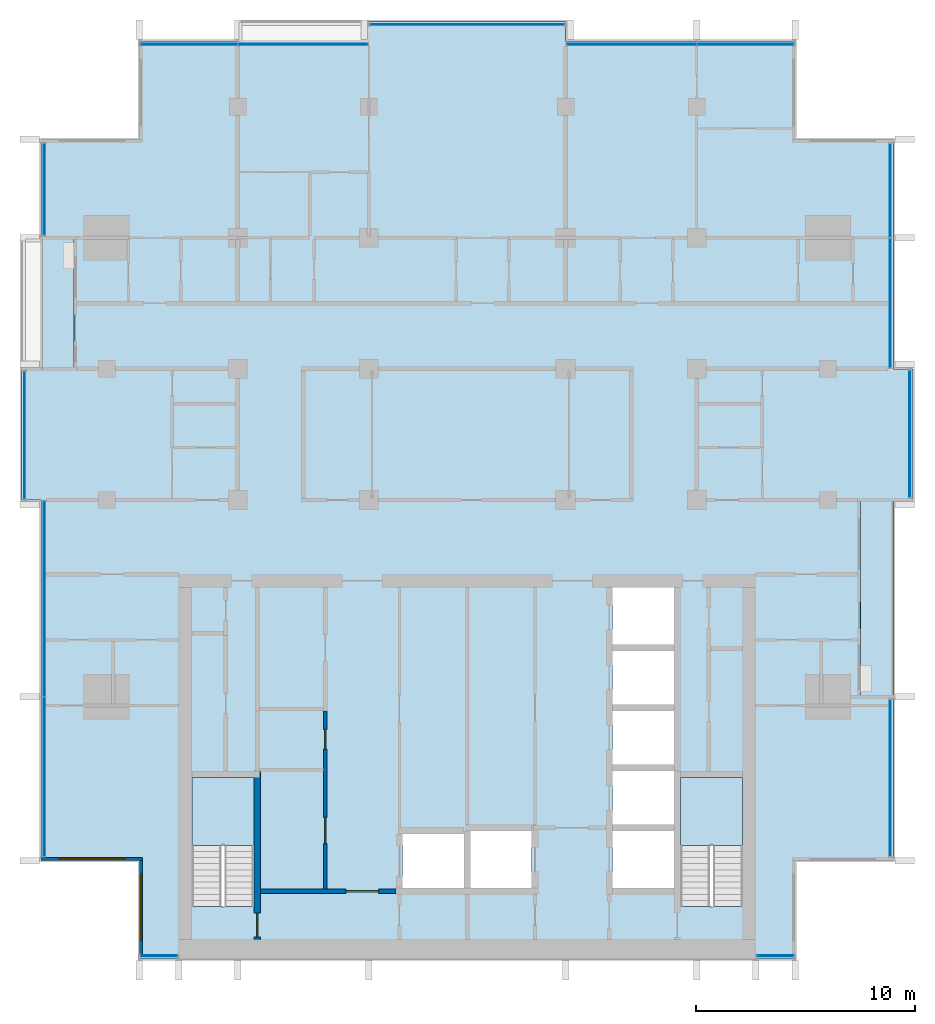
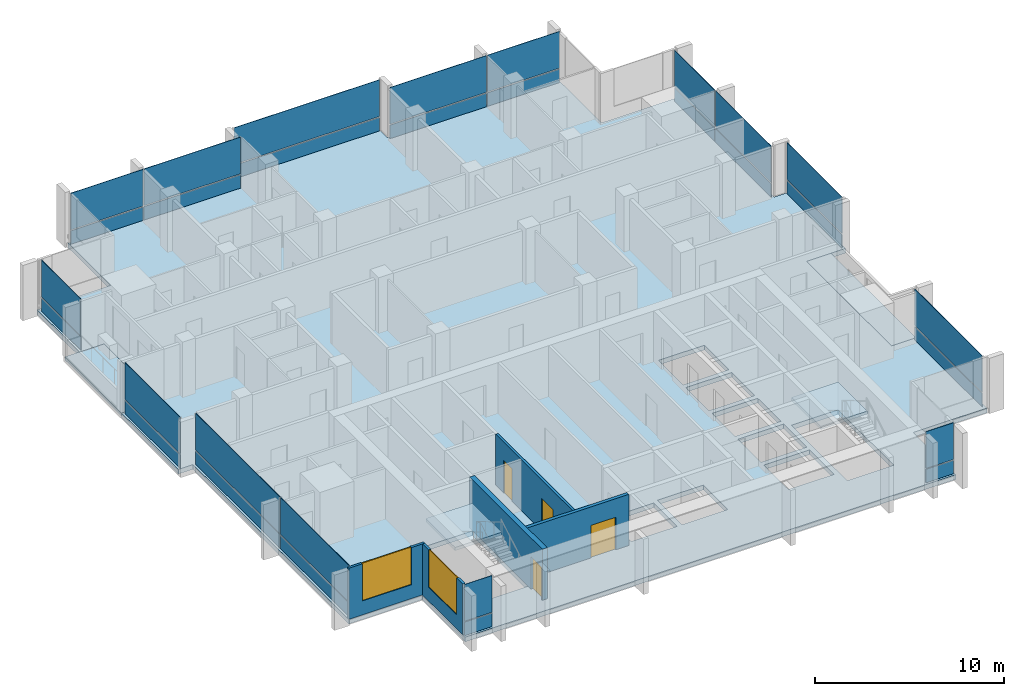
# One storey, part 6 of 16: 30 plates, 5 slabs, 5 walls, 4 doors, 2 windows, 6 openings, 13 elements without a shape of their own.
"""IFC4 building model written with IfcOpenShell, lengths in metres."""

from ifc_helpers import new_model, si_unit, direction, frame, frame_2d, origin, origin_2d, place, context, subcontext, project, spatial, polyline, rectangle, outline, extrude, material, layer, layer_set, type_object, element, fill, aggregate, save


model = new_model("IFC4")

# Units and contexts
model_context = context("Model", 3, precision=1e-05, world=origin(), true_north=direction((0.0, 1.0)))
body_context = subcontext(model_context, "Body", "Model", "MODEL_VIEW")
ifc_project = project(units=[si_unit("LENGTHUNIT", "METRE"), si_unit("AREAUNIT", "SQUARE_METRE"), si_unit("VOLUMEUNIT", "CUBIC_METRE"), si_unit("PLANEANGLEUNIT", "RADIAN"), si_unit("MASSUNIT", "GRAM", prefix="KILO")], contexts=[model_context])

# Site, building, storey
site_placement = place(None, origin())
site = spatial("IfcSite", under=ifc_project, at=site_placement, CompositionType="ELEMENT")
building_placement = place(site_placement, origin())
building = spatial("IfcBuilding", under=site, at=building_placement, Name="Finial Court Residences", CompositionType="ELEMENT")
storey_placement = place(building_placement, frame((0.0, 0.0, 223.10009765625)))
storey = spatial("IfcBuildingStorey", under=building, at=storey_placement, Name="L56", CompositionType="ELEMENT", Elevation=223.10009765625)

# Slabs
ifc_material_1 = material(Name="Concrete C35/45", Category="concrete")
ifc_layer_1 = layer(ifc_material_1, 0.199951171875)
ifc_layer_set_1 = layer_set([ifc_layer_1], Name="Balcony slab, Concrete C35/45 200")
slab_type_1 = type_object("IfcSlabType", Name="Balcony slab, Concrete C35/45 200", PredefinedType="FLOOR", material=ifc_layer_set_1)
slab_1_placement = place(storey_placement, frame((0.0, 0.0, -0.2001953125)))
element("IfcSlab", 1, at=slab_1_placement, inside=storey, type_object=slab_type_1, Name="Balcony L56-E2", PredefinedType="FLOOR", context=body_context, shape_type="SweptSolid", body=[
    extrude(outline(polyline([(19.5, -13.5), (19.5, -4.5), (18.0, -4.5), (18.0, -13.5), (19.5, -13.5)])), origin(), (0.0, 0.0, 1.0), 0.2001953125),
])
slab_2_placement = place(storey_placement, frame((0.0, 0.0, -0.2001953125)))
element("IfcSlab", 2, at=slab_2_placement, inside=storey, type_object=slab_type_1, Name="Balcony L56-W4", PredefinedType="FLOOR", context=body_context, shape_type="SweptSolid", body=[
    extrude(outline(polyline([(-20.39990234375, 1.5), (-20.39990234375, 7.5), (-19.5, 7.5), (-18.0, 7.5), (-18.0, 1.5), (-19.5, 1.5), (-20.39990234375, 1.5)])), origin(), (0.0, 0.0, 1.0), 0.2001953125),
])

# Curtain wall, plates
ifc_material_2 = material(Name="Bronze anodised aluminium", Category="aluminium")
curtain_wall_type = type_object("IfcCurtainWallType", Name="Unitised curtain wall, upper zones", PredefinedType="NOTDEFINED", material=ifc_material_2)
curtain_wall_1_placement = place(storey_placement, origin())
curtain_wall_1 = element("IfcCurtainWall", 3, at=curtain_wall_1_placement, inside=storey, type_object=curtain_wall_type, Name="E-L56-CW-N1", PredefinedType="NOTDEFINED")
ifc_layer_2 = layer(ifc_material_2, 0.035888671875)
ifc_layer_set_2 = layer_set([ifc_layer_2], Name="CW2 spandrel panel 36")
plate_type_1 = type_object("IfcPlateType", Name="CW2 spandrel panel 36", PredefinedType="CURTAIN_PANEL", material=ifc_layer_set_2)
plate_1_placement = place(storey_placement, frame((-12.735107421875, 16.35009765625, -0.000244140625), z_axis=(0.0, 0.0, 1.0), x_axis=(1.0, 0.0, 0.0)))
plate_1 = element("IfcPlate", 4, at=plate_1_placement, type_object=plate_type_1, Name="CW2 spandrel 1.1", PredefinedType="CURTAIN_PANEL", context=body_context, shape_type="SweptSolid", body=[
    extrude(rectangle(XDim=4.409912109375, YDim=0.035888671875, at=origin_2d()), origin(), (0.0, 0.0, 1.0), 0.8701171875),
])
plate_2_placement = place(storey_placement, frame((-7.514892578125, 16.35009765625, -0.000244140625), z_axis=(0.0, 0.0, 1.0), x_axis=(1.0, 0.0, 0.0)))
plate_2 = element("IfcPlate", 5, at=plate_2_placement, type_object=plate_type_1, Name="CW2 spandrel 2.1", PredefinedType="CURTAIN_PANEL", context=body_context, shape_type="SweptSolid", body=[
    extrude(rectangle(XDim=5.909912109375, YDim=0.035888671875, at=origin_2d()), origin(), (0.0, 0.0, 1.0), 0.8701171875),
])

# Curtain wall, plate
curtain_wall_2_placement = place(storey_placement, origin())
curtain_wall_2 = element("IfcCurtainWall", 6, at=curtain_wall_2_placement, inside=storey, type_object=curtain_wall_type, Name="E-L56-CW-N2", PredefinedType="NOTDEFINED")
plate_3_placement = place(storey_placement, frame((0.0, 17.25, -0.000244140625), z_axis=(0.0, 0.0, 1.0), x_axis=(1.0, 0.0, 0.0)))
plate_3 = element("IfcPlate", 7, at=plate_3_placement, type_object=plate_type_1, Name="CW2 spandrel 1.1", PredefinedType="CURTAIN_PANEL", context=body_context, shape_type="SweptSolid", body=[
    extrude(rectangle(XDim=8.8798828125, YDim=0.035888671875, at=origin_2d()), origin(), (0.0, 0.0, 1.0), 0.8701171875),
])

# Curtain wall, plates
curtain_wall_3_placement = place(storey_placement, origin())
curtain_wall_3 = element("IfcCurtainWall", 8, at=curtain_wall_3_placement, inside=storey, type_object=curtain_wall_type, Name="E-L56-CW-N3", PredefinedType="NOTDEFINED")
plate_4_placement = place(storey_placement, frame((7.514892578125, 16.35009765625, -0.000244140625), z_axis=(0.0, 0.0, 1.0), x_axis=(1.0, 0.0, 0.0)))
plate_4 = element("IfcPlate", 9, at=plate_4_placement, type_object=plate_type_1, Name="CW2 spandrel 1.1", PredefinedType="CURTAIN_PANEL", context=body_context, shape_type="SweptSolid", body=[
    extrude(rectangle(XDim=5.909912109375, YDim=0.035888671875, at=origin_2d()), origin(), (0.0, 0.0, 1.0), 0.8701171875),
])
plate_5_placement = place(storey_placement, frame((12.735107421875, 16.35009765625, -0.000244140625), z_axis=(0.0, 0.0, 1.0), x_axis=(1.0, 0.0, 0.0)))
plate_5 = element("IfcPlate", 10, at=plate_5_placement, type_object=plate_type_1, Name="CW2 spandrel 2.1", PredefinedType="CURTAIN_PANEL", context=body_context, shape_type="SweptSolid", body=[
    extrude(rectangle(XDim=4.409912109375, YDim=0.035888671875, at=origin_2d()), origin(), (0.0, 0.0, 1.0), 0.8701171875),
])

# Curtain wall, plate
curtain_wall_4_placement = place(storey_placement, origin())
curtain_wall_4 = element("IfcCurtainWall", 11, at=curtain_wall_4_placement, inside=storey, type_object=curtain_wall_type, Name="E-L56-CW-E4", PredefinedType="NOTDEFINED")
plate_6_placement = place(storey_placement, frame((19.35009765625, -17.21240234375, -0.000244140625), z_axis=(0.0, 0.0, 1.0), x_axis=(0.0, 1.0, 0.0)))
plate_6 = element("IfcPlate", 12, at=plate_6_placement, type_object=plate_type_1, Name="CW2 spandrel 1.1", PredefinedType="CURTAIN_PANEL", context=body_context, shape_type="SweptSolid", body=[
    extrude(rectangle(XDim=7.155029296875, YDim=0.035888671875, at=origin_2d()), origin(), (0.0, 0.0, 1.0), 0.8701171875),
])

curtain_wall_5_placement = place(storey_placement, origin())
curtain_wall_5 = element("IfcCurtainWall", 13, at=curtain_wall_5_placement, inside=storey, type_object=curtain_wall_type, Name="E-L56-CW-E5", PredefinedType="NOTDEFINED")
plate_7_placement = place(storey_placement, frame((20.25, -1.46240234375, -0.000244140625), z_axis=(0.0, 0.0, 1.0), x_axis=(0.0, 1.0, 0.0)))
plate_7 = element("IfcPlate", 14, at=plate_7_placement, type_object=plate_type_1, Name="CW2 spandrel 1.1", PredefinedType="CURTAIN_PANEL", context=body_context, shape_type="SweptSolid", body=[
    extrude(rectangle(XDim=5.804931640625, YDim=0.035888671875, at=origin_2d()), origin(), (0.0, 0.0, 1.0), 0.8701171875),
])

# Curtain wall, plates
curtain_wall_6_placement = place(storey_placement, origin())
curtain_wall_6 = element("IfcCurtainWall", 15, at=curtain_wall_6_placement, inside=storey, type_object=curtain_wall_type, Name="E-L56-CW-E6", PredefinedType="NOTDEFINED")
plate_8_placement = place(storey_placement, frame((19.35009765625, 4.514892578125, -0.000244140625), z_axis=(0.0, 0.0, 1.0), x_axis=(0.0, 1.0, 0.0)))
plate_8 = element("IfcPlate", 16, at=plate_8_placement, type_object=plate_type_1, Name="CW2 spandrel 1.1", PredefinedType="CURTAIN_PANEL", context=body_context, shape_type="SweptSolid", body=[
    extrude(rectangle(XDim=5.909912109375, YDim=0.035888671875, at=origin_2d()), origin(), (0.0, 0.0, 1.0), 0.8701171875),
])
plate_9_placement = place(storey_placement, frame((19.35009765625, 9.659912109375, -0.000244140625), z_axis=(0.0, 0.0, 1.0), x_axis=(0.0, 1.0, 0.0)))
plate_9 = element("IfcPlate", 17, at=plate_9_placement, type_object=plate_type_1, Name="CW2 spandrel 2.1", PredefinedType="CURTAIN_PANEL", context=body_context, shape_type="SweptSolid", body=[
    extrude(rectangle(XDim=4.260009765625, YDim=0.035888671875, at=origin_2d()), origin(), (0.0, 0.0, 1.0), 0.8701171875),
])

# Curtain wall, plate
curtain_wall_7_placement = place(storey_placement, origin())
curtain_wall_7 = element("IfcCurtainWall", 18, at=curtain_wall_7_placement, inside=storey, type_object=curtain_wall_type, Name="E-L56-CW-S7", PredefinedType="NOTDEFINED")
plate_10_placement = place(storey_placement, frame((-14.10009765625, -25.35009765625, -0.000244140625), z_axis=(0.0, 0.0, 1.0), x_axis=(1.0, 0.0, 0.0)))
plate_10 = element("IfcPlate", 19, at=plate_10_placement, type_object=plate_type_1, Name="CW2 spandrel 1.1", PredefinedType="CURTAIN_PANEL", context=body_context, shape_type="SweptSolid", body=[
    extrude(rectangle(XDim=1.679931640625, YDim=0.035888671875, at=origin_2d()), origin(), (0.0, 0.0, 1.0), 0.8701171875),
])

curtain_wall_8_placement = place(storey_placement, origin())
curtain_wall_8 = element("IfcCurtainWall", 20, at=curtain_wall_8_placement, inside=storey, type_object=curtain_wall_type, Name="E-L56-CW-S8", PredefinedType="NOTDEFINED")
plate_11_placement = place(storey_placement, frame((14.10009765625, -25.35009765625, -0.000244140625), z_axis=(0.0, 0.0, 1.0), x_axis=(1.0, 0.0, 0.0)))
plate_11 = element("IfcPlate", 21, at=plate_11_placement, type_object=plate_type_1, Name="CW2 spandrel 1.1", PredefinedType="CURTAIN_PANEL", context=body_context, shape_type="SweptSolid", body=[
    extrude(rectangle(XDim=1.679931640625, YDim=0.035888671875, at=origin_2d()), origin(), (0.0, 0.0, 1.0), 0.8701171875),
])

# Curtain wall, plates
curtain_wall_9_placement = place(storey_placement, origin())
curtain_wall_9 = element("IfcCurtainWall", 22, at=curtain_wall_9_placement, inside=storey, type_object=curtain_wall_type, Name="E-L56-CW-W9", PredefinedType="NOTDEFINED")
plate_12_placement = place(storey_placement, frame((-19.35009765625, -17.159912109375, -0.000244140625), z_axis=(0.0, 0.0, 1.0), x_axis=(0.0, 1.0, 0.0)))
plate_12 = element("IfcPlate", 23, at=plate_12_placement, type_object=plate_type_1, Name="CW2 spandrel 1.1", PredefinedType="CURTAIN_PANEL", context=body_context, shape_type="SweptSolid", body=[
    extrude(rectangle(XDim=7.260009765625, YDim=0.035888671875, at=origin_2d()), origin(), (0.0, 0.0, 1.0), 0.8701171875),
])
plate_13_placement = place(storey_placement, frame((-19.35009765625, -9.014892578125, -0.000244140625), z_axis=(0.0, 0.0, 1.0), x_axis=(0.0, 1.0, 0.0)))
plate_13 = element("IfcPlate", 24, at=plate_13_placement, type_object=plate_type_1, Name="CW2 spandrel 2.1", PredefinedType="CURTAIN_PANEL", context=body_context, shape_type="SweptSolid", body=[
    extrude(rectangle(XDim=8.909912109375, YDim=0.035888671875, at=origin_2d()), origin(), (0.0, 0.0, 1.0), 0.8701171875),
])

# Curtain wall, plate
curtain_wall_10_placement = place(storey_placement, origin())
curtain_wall_10 = element("IfcCurtainWall", 25, at=curtain_wall_10_placement, inside=storey, type_object=curtain_wall_type, Name="E-L56-CW-W10", PredefinedType="NOTDEFINED")
plate_14_placement = place(storey_placement, frame((-20.25, -1.53759765625, -0.000244140625), z_axis=(0.0, 0.0, 1.0), x_axis=(0.0, 1.0, 0.0)))
plate_14 = element("IfcPlate", 26, at=plate_14_placement, type_object=plate_type_1, Name="CW2 spandrel 1.1", PredefinedType="CURTAIN_PANEL", context=body_context, shape_type="SweptSolid", body=[
    extrude(rectangle(XDim=5.804931640625, YDim=0.035888671875, at=origin_2d()), origin(), (0.0, 0.0, 1.0), 0.8701171875),
])

curtain_wall_11_placement = place(storey_placement, origin())
curtain_wall_11 = element("IfcCurtainWall", 27, at=curtain_wall_11_placement, inside=storey, type_object=curtain_wall_type, Name="E-L56-CW-W11", PredefinedType="NOTDEFINED")
plate_15_placement = place(storey_placement, frame((-19.35009765625, 9.71240234375, -0.000244140625), z_axis=(0.0, 0.0, 1.0), x_axis=(0.0, 1.0, 0.0)))
plate_15 = element("IfcPlate", 28, at=plate_15_placement, type_object=plate_type_1, Name="CW2 spandrel 1.1", PredefinedType="CURTAIN_PANEL", context=body_context, shape_type="SweptSolid", body=[
    extrude(rectangle(XDim=4.155029296875, YDim=0.035888671875, at=origin_2d()), origin(), (0.0, 0.0, 1.0), 0.8701171875),
])

# Plate
ifc_material_3 = material(Name="Clear low-e glass", Category="glass")
ifc_layer_3 = layer(ifc_material_3, 0.030029296875)
ifc_layer_set_3 = layer_set([ifc_layer_3], Name="CW2 vision glass 30")
plate_type_2 = type_object("IfcPlateType", Name="CW2 vision glass 30", PredefinedType="CURTAIN_PANEL", material=ifc_layer_set_3)
plate_16_placement = place(storey_placement, frame((-12.735107421875, 16.35009765625, 0.929931640625), z_axis=(0.0, 0.0, 1.0), x_axis=(1.0, 0.0, 0.0)))
plate_16 = element("IfcPlate", 29, at=plate_16_placement, type_object=plate_type_2, Name="CW2 glass 1.2", PredefinedType="CURTAIN_PANEL", context=body_context, shape_type="SweptSolid", body=[
    extrude(rectangle(XDim=4.409912109375, YDim=0.030029296875, at=origin_2d()), origin(), (0.0, 0.0, 1.0), 2.3701171875),
])

plate_17_placement = place(storey_placement, frame((-7.514892578125, 16.35009765625, 0.929931640625), z_axis=(0.0, 0.0, 1.0), x_axis=(1.0, 0.0, 0.0)))
plate_17 = element("IfcPlate", 30, at=plate_17_placement, type_object=plate_type_2, Name="CW2 glass 2.2", PredefinedType="CURTAIN_PANEL", context=body_context, shape_type="SweptSolid", body=[
    extrude(rectangle(XDim=5.909912109375, YDim=0.030029296875, at=origin_2d()), origin(), (0.0, 0.0, 1.0), 2.3701171875),
])

aggregate(curtain_wall_1, [plate_1, plate_16, plate_2, plate_17])

plate_18_placement = place(storey_placement, frame((0.0, 17.25, 0.929931640625), z_axis=(0.0, 0.0, 1.0), x_axis=(1.0, 0.0, 0.0)))
plate_18 = element("IfcPlate", 31, at=plate_18_placement, type_object=plate_type_2, Name="CW2 glass 1.2", PredefinedType="CURTAIN_PANEL", context=body_context, shape_type="SweptSolid", body=[
    extrude(rectangle(XDim=8.8798828125, YDim=0.030029296875, at=origin_2d()), origin(), (0.0, 0.0, 1.0), 2.3701171875),
])

aggregate(curtain_wall_2, [plate_3, plate_18])

plate_19_placement = place(storey_placement, frame((7.514892578125, 16.35009765625, 0.929931640625), z_axis=(0.0, 0.0, 1.0), x_axis=(1.0, 0.0, 0.0)))
plate_19 = element("IfcPlate", 32, at=plate_19_placement, type_object=plate_type_2, Name="CW2 glass 1.2", PredefinedType="CURTAIN_PANEL", context=body_context, shape_type="SweptSolid", body=[
    extrude(rectangle(XDim=5.909912109375, YDim=0.030029296875, at=origin_2d()), origin(), (0.0, 0.0, 1.0), 2.3701171875),
])

plate_20_placement = place(storey_placement, frame((12.735107421875, 16.35009765625, 0.929931640625), z_axis=(0.0, 0.0, 1.0), x_axis=(1.0, 0.0, 0.0)))
plate_20 = element("IfcPlate", 33, at=plate_20_placement, type_object=plate_type_2, Name="CW2 glass 2.2", PredefinedType="CURTAIN_PANEL", context=body_context, shape_type="SweptSolid", body=[
    extrude(rectangle(XDim=4.409912109375, YDim=0.030029296875, at=origin_2d()), origin(), (0.0, 0.0, 1.0), 2.3701171875),
])

aggregate(curtain_wall_3, [plate_4, plate_19, plate_5, plate_20])

plate_21_placement = place(storey_placement, frame((19.35009765625, -17.21240234375, 0.929931640625), z_axis=(0.0, 0.0, 1.0), x_axis=(0.0, 1.0, 0.0)))
plate_21 = element("IfcPlate", 34, at=plate_21_placement, type_object=plate_type_2, Name="CW2 glass 1.2", PredefinedType="CURTAIN_PANEL", context=body_context, shape_type="SweptSolid", body=[
    extrude(rectangle(XDim=7.155029296875, YDim=0.030029296875, at=origin_2d()), origin(), (0.0, 0.0, 1.0), 2.3701171875),
])

aggregate(curtain_wall_4, [plate_6, plate_21])

plate_22_placement = place(storey_placement, frame((20.25, -1.46240234375, 0.929931640625), z_axis=(0.0, 0.0, 1.0), x_axis=(0.0, 1.0, 0.0)))
plate_22 = element("IfcPlate", 35, at=plate_22_placement, type_object=plate_type_2, Name="CW2 glass 1.2", PredefinedType="CURTAIN_PANEL", context=body_context, shape_type="SweptSolid", body=[
    extrude(rectangle(XDim=5.804931640625, YDim=0.030029296875, at=origin_2d()), origin(), (0.0, 0.0, 1.0), 2.3701171875),
])

aggregate(curtain_wall_5, [plate_7, plate_22])

plate_23_placement = place(storey_placement, frame((19.35009765625, 4.514892578125, 0.929931640625), z_axis=(0.0, 0.0, 1.0), x_axis=(0.0, 1.0, 0.0)))
plate_23 = element("IfcPlate", 36, at=plate_23_placement, type_object=plate_type_2, Name="CW2 glass 1.2", PredefinedType="CURTAIN_PANEL", context=body_context, shape_type="SweptSolid", body=[
    extrude(rectangle(XDim=5.909912109375, YDim=0.030029296875, at=origin_2d()), origin(), (0.0, 0.0, 1.0), 2.3701171875),
])

plate_24_placement = place(storey_placement, frame((19.35009765625, 9.659912109375, 0.929931640625), z_axis=(0.0, 0.0, 1.0), x_axis=(0.0, 1.0, 0.0)))
plate_24 = element("IfcPlate", 37, at=plate_24_placement, type_object=plate_type_2, Name="CW2 glass 2.2", PredefinedType="CURTAIN_PANEL", context=body_context, shape_type="SweptSolid", body=[
    extrude(rectangle(XDim=4.260009765625, YDim=0.030029296875, at=origin_2d()), origin(), (0.0, 0.0, 1.0), 2.3701171875),
])

aggregate(curtain_wall_6, [plate_8, plate_23, plate_9, plate_24])

plate_25_placement = place(storey_placement, frame((-14.10009765625, -25.35009765625, 0.929931640625), z_axis=(0.0, 0.0, 1.0), x_axis=(1.0, 0.0, 0.0)))
plate_25 = element("IfcPlate", 38, at=plate_25_placement, type_object=plate_type_2, Name="CW2 glass 1.2", PredefinedType="CURTAIN_PANEL", context=body_context, shape_type="SweptSolid", body=[
    extrude(rectangle(XDim=1.679931640625, YDim=0.030029296875, at=origin_2d()), origin(), (0.0, 0.0, 1.0), 2.3701171875),
])

aggregate(curtain_wall_7, [plate_10, plate_25])

plate_26_placement = place(storey_placement, frame((14.10009765625, -25.35009765625, 0.929931640625), z_axis=(0.0, 0.0, 1.0), x_axis=(1.0, 0.0, 0.0)))
plate_26 = element("IfcPlate", 39, at=plate_26_placement, type_object=plate_type_2, Name="CW2 glass 1.2", PredefinedType="CURTAIN_PANEL", context=body_context, shape_type="SweptSolid", body=[
    extrude(rectangle(XDim=1.679931640625, YDim=0.030029296875, at=origin_2d()), origin(), (0.0, 0.0, 1.0), 2.3701171875),
])

aggregate(curtain_wall_8, [plate_11, plate_26])

plate_27_placement = place(storey_placement, frame((-19.35009765625, -17.159912109375, 0.929931640625), z_axis=(0.0, 0.0, 1.0), x_axis=(0.0, 1.0, 0.0)))
plate_27 = element("IfcPlate", 40, at=plate_27_placement, type_object=plate_type_2, Name="CW2 glass 1.2", PredefinedType="CURTAIN_PANEL", context=body_context, shape_type="SweptSolid", body=[
    extrude(rectangle(XDim=7.260009765625, YDim=0.030029296875, at=origin_2d()), origin(), (0.0, 0.0, 1.0), 2.3701171875),
])

plate_28_placement = place(storey_placement, frame((-19.35009765625, -9.014892578125, 0.929931640625), z_axis=(0.0, 0.0, 1.0), x_axis=(0.0, 1.0, 0.0)))
plate_28 = element("IfcPlate", 41, at=plate_28_placement, type_object=plate_type_2, Name="CW2 glass 2.2", PredefinedType="CURTAIN_PANEL", context=body_context, shape_type="SweptSolid", body=[
    extrude(rectangle(XDim=8.909912109375, YDim=0.030029296875, at=origin_2d()), origin(), (0.0, 0.0, 1.0), 2.3701171875),
])

aggregate(curtain_wall_9, [plate_12, plate_27, plate_13, plate_28])

plate_29_placement = place(storey_placement, frame((-20.25, -1.53759765625, 0.929931640625), z_axis=(0.0, 0.0, 1.0), x_axis=(0.0, 1.0, 0.0)))
plate_29 = element("IfcPlate", 42, at=plate_29_placement, type_object=plate_type_2, Name="CW2 glass 1.2", PredefinedType="CURTAIN_PANEL", context=body_context, shape_type="SweptSolid", body=[
    extrude(rectangle(XDim=5.804931640625, YDim=0.030029296875, at=origin_2d()), origin(), (0.0, 0.0, 1.0), 2.3701171875),
])

aggregate(curtain_wall_10, [plate_14, plate_29])

plate_30_placement = place(storey_placement, frame((-19.35009765625, 9.71240234375, 0.929931640625), z_axis=(0.0, 0.0, 1.0), x_axis=(0.0, 1.0, 0.0)))
plate_30 = element("IfcPlate", 43, at=plate_30_placement, type_object=plate_type_2, Name="CW2 glass 1.2", PredefinedType="CURTAIN_PANEL", context=body_context, shape_type="SweptSolid", body=[
    extrude(rectangle(XDim=4.155029296875, YDim=0.030029296875, at=origin_2d()), origin(), (0.0, 0.0, 1.0), 2.3701171875),
])

aggregate(curtain_wall_11, [plate_15, plate_30])

# Stair, slab
ifc_material_4 = material(Name="Concrete C50/60", Category="concrete")
stair_type = type_object("IfcStairType", Name="Exit stair 22 risers of 163.6 mm", PredefinedType="HALF_TURN_STAIR", material=ifc_material_4)
stair_1_placement = place(storey_placement, origin())
stair_1 = element("IfcStair", 44, at=stair_1_placement, inside=storey, type_object=stair_type, Name="L56 Exit stair ST-1", PredefinedType="HALF_TURN_STAIR")
ifc_layer_4 = layer(ifc_material_4, 0.199951171875)
ifc_layer_set_4 = layer_set([ifc_layer_4], Name="Exit stair landing")
slab_type_2 = type_object("IfcSlabType", Name="Exit stair landing", PredefinedType="LANDING", material=ifc_layer_set_4)
slab_3_placement = place(storey_placement, frame((0.0, 0.0, 1.599853515625)))
slab_3 = element("IfcSlab", 45, at=slab_3_placement, type_object=slab_type_2, Name="ST-1 landing 1", PredefinedType="LANDING", context=body_context, shape_type="SweptSolid", body=[
    extrude(outline(polyline([(-9.75, -20.300048828125), (-9.75, -17.199951171875), (-12.60009765625, -17.199951171875), (-12.60009765625, -20.300048828125), (-9.75, -20.300048828125)])), origin(), (0.0, 0.0, 1.0), 0.199951171875),
])
aggregate(stair_1, [slab_3])

stair_2_placement = place(storey_placement, origin())
stair_2 = element("IfcStair", 46, at=stair_2_placement, inside=storey, type_object=stair_type, Name="L56 Exit stair ST-2", PredefinedType="HALF_TURN_STAIR")
slab_4_placement = place(storey_placement, frame((0.0, 0.0, 1.599853515625)))
slab_4 = element("IfcSlab", 47, at=slab_4_placement, type_object=slab_type_2, Name="ST-2 landing 1", PredefinedType="LANDING", context=body_context, shape_type="SweptSolid", body=[
    extrude(outline(polyline([(12.60009765625, -20.300048828125), (12.60009765625, -17.199951171875), (9.75, -17.199951171875), (9.75, -20.300048828125), (12.60009765625, -20.300048828125)])), origin(), (0.0, 0.0, 1.0), 0.199951171875),
])
aggregate(stair_2, [slab_4])

# Slab
ifc_material_5 = material(Name="Concrete C40/50", Category="concrete")
ifc_layer_5 = layer(ifc_material_5, 0.300048828125)
ifc_layer_set_5 = layer_set([ifc_layer_5], Name="Flat plate slab 300 Concrete C40/50")
slab_type_3 = type_object("IfcSlabType", Name="Flat plate slab 300 Concrete C40/50", PredefinedType="FLOOR", material=ifc_layer_set_5)
slab_5_placement = place(storey_placement, frame((0.0, 0.0, -0.300048828125)))
element("IfcSlab", 48, at=slab_5_placement, inside=storey, type_object=slab_type_3, Name="S:SLAB:L56", PredefinedType="FLOOR", context=body_context, shape_type="SweptSolid", body=[
    extrude(outline(polyline([(-20.39990234375, -4.5), (-20.39990234375, 1.5), (-19.5, 1.5), (-18.0, 1.5), (-18.0, 7.5), (-19.5, 7.5), (-19.5, 12.0), (-15.0, 12.0), (-15.0, 16.5), (-10.5, 16.5), (-10.5, 17.39990234375), (-4.5, 17.39990234375), (4.5, 17.39990234375), (4.5, 16.5), (15.0, 16.5), (15.0, 12.0), (19.5, 12.0), (19.5, 1.5), (20.39990234375, 1.5), (20.39990234375, -4.5), (19.5, -4.5), (18.0, -4.5), (18.0, -13.5), (19.5, -13.5), (19.5, -21.0), (15.0, -21.0), (15.0, -25.5), (-15.0, -25.5), (-15.0, -21.0), (-19.5, -21.0), (-19.5, -4.5), (-20.39990234375, -4.5)]), holes=[polyline([(-0.14990234375, -19.77001953125), (-2.949951171875, -19.77001953125), (-2.949951171875, -22.25), (-0.14990234375, -22.25), (-0.14990234375, -19.77001953125)]), polyline([(2.949951171875, -19.64990234375), (0.14990234375, -19.64990234375), (0.14990234375, -22.25), (2.949951171875, -22.25), (2.949951171875, -19.64990234375)]), polyline([(9.449951171875, -19.64990234375), (6.64990234375, -19.64990234375), (6.64990234375, -22.25), (9.449951171875, -22.25), (9.449951171875, -19.64990234375)]), polyline([(-12.60009765625, -17.199951171875), (-12.60009765625, -23.09912109375), (-9.75, -23.09912109375), (-9.75, -17.199951171875), (-12.60009765625, -17.199951171875)]), polyline([(9.75, -17.199951171875), (9.75, -23.09912109375), (12.60009765625, -23.09912109375), (12.60009765625, -17.199951171875), (9.75, -17.199951171875)]), polyline([(9.449951171875, -16.89990234375), (6.64990234375, -16.89990234375), (6.64990234375, -19.35009765625), (9.449951171875, -19.35009765625), (9.449951171875, -16.89990234375)]), polyline([(9.449951171875, -14.14990234375), (6.64990234375, -14.14990234375), (6.64990234375, -16.60009765625), (9.449951171875, -16.60009765625), (9.449951171875, -14.14990234375)]), polyline([(9.449951171875, -13.85009765625), (9.449951171875, -11.39990234375), (6.64990234375, -11.39990234375), (6.64990234375, -13.85009765625), (9.449951171875, -13.85009765625)]), polyline([(9.449951171875, -11.10009765625), (9.449951171875, -8.5), (6.64990234375, -8.5), (6.64990234375, -11.10009765625), (9.449951171875, -11.10009765625)])]), origin(), (0.0, 0.0, 1.0), 0.300048828125),
])

# Wall, openings, doors
ifc_material_6 = material(Name="Fire-rated gypsum board partition")
ifc_layer_6 = layer(ifc_material_6, 0.14990234375)
ifc_layer_set_6 = layer_set([ifc_layer_6], Name="Core room partition 150 EI 60")
wall_type_1 = type_object("IfcWallType", Name="Core room partition 150 EI 60", PredefinedType="PARTITIONING", material=ifc_layer_set_6)
wall_1_placement = place(storey_placement, frame((-6.5, -22.300048828125, 0.0), z_axis=(0.0, 0.0, 1.0), x_axis=(0.0, 1.0, 0.0)))
wall_1 = element("IfcWall", 49, at=wall_1_placement, inside=storey, type_object=wall_type_1, Name="Core partition L56-22", PredefinedType="PARTITIONING", context=body_context, shape_type="SweptSolid", body=[
    extrude(rectangle(XDim=8.14013671875, YDim=0.14990234375, at=frame_2d((4.070068359375, 0.0))), origin(), (0.0, 0.0, 1.0), 3.2998046875),
])
opening_1_placement = place(wall_1_placement, frame((2.080078125, 0.0, 0.0)))
opening_1 = element("IfcOpeningElement", 50, at=opening_1_placement, cuts=wall_1, Name="Opening L56-C15", PredefinedType="OPENING", context=body_context, shape_type="SweptSolid", body=[
    extrude(rectangle(XDim=1.199951171875, YDim=2.10009765625, at=frame_2d((0.60009765625, 1.050048828125))), frame((0.0, 0.0849609375, 0.0), z_axis=(0.0, -1.0, 0.0), x_axis=(1.0, 0.0, 0.0)), (0.0, 0.0, 1.0), 0.169921875),
])
opening_2_placement = place(wall_1_placement, frame((6.39990234375, 0.0, 0.0)))
opening_2 = element("IfcOpeningElement", 51, at=opening_2_placement, cuts=wall_1, Name="Opening L56-C16", PredefinedType="OPENING", context=body_context, shape_type="SweptSolid", body=[
    extrude(rectangle(XDim=0.89990234375, YDim=2.10009765625, at=frame_2d((0.449951171875, 1.050048828125))), frame((0.0, 0.0849609375, 0.0), z_axis=(0.0, -1.0, 0.0), x_axis=(1.0, 0.0, 0.0)), (0.0, 0.0, 1.0), 0.169921875),
])
ifc_material_7 = material(Name="Steel fire door", Category="steel")
door_type_1 = type_object("IfcDoorType", Name="Core room door 1200 x 2100 EI 60", OperationType="NOTDEFINED", PredefinedType="DOOR", material=ifc_material_7)
door_1_placement = place(opening_1_placement, origin())
door_1 = element("IfcDoor", 52, at=door_1_placement, inside=storey, type_object=door_type_1, Name="Core room door L56-C15", OperationType="SINGLE_SWING_LEFT", OverallHeight=2.10009765625, OverallWidth=1.199951171875, PredefinedType="DOOR", context=body_context, shape_type="SweptSolid", body=[
    extrude(rectangle(XDim=1.199951171875, YDim=2.10009765625, at=frame_2d((0.60009765625, 1.050048828125))), frame((0.0, 0.02490234375, 0.0), z_axis=(0.0, -1.0, 0.0), x_axis=(1.0, 0.0, 0.0)), (0.0, 0.0, 1.0), 0.050048828125),
])
fill(opening_1, door_1)
door_type_2 = type_object("IfcDoorType", Name="Core room door 900 x 2100 EI 60", OperationType="NOTDEFINED", PredefinedType="DOOR", material=ifc_material_7)
door_2_placement = place(opening_2_placement, origin())
door_2 = element("IfcDoor", 53, at=door_2_placement, inside=storey, type_object=door_type_2, Name="Core room door L56-C16", OperationType="SINGLE_SWING_RIGHT", OverallHeight=2.10009765625, OverallWidth=0.89990234375, PredefinedType="DOOR", context=body_context, shape_type="SweptSolid", body=[
    extrude(rectangle(XDim=0.89990234375, YDim=2.10009765625, at=frame_2d((0.449951171875, 1.050048828125))), frame((0.0, 0.02490234375, 0.0), z_axis=(0.0, -1.0, 0.0), x_axis=(1.0, 0.0, 0.0)), (0.0, 0.0, 1.0), 0.050048828125),
])
fill(opening_2, door_2)

# Wall, opening, door
ifc_material_8 = material(Name="Concrete C60/75", Category="concrete")
ifc_layer_7 = layer(ifc_material_8, 0.300048828125)
ifc_layer_set_7 = layer_set([ifc_layer_7], Name="Lift shaft and stair wall 300 Concrete C60/75")
wall_type_2 = type_object("IfcWallType", Name="Lift shaft and stair wall 300 Concrete C60/75", PredefinedType="SHEAR", material=ifc_layer_set_7)
wall_2_placement = place(storey_placement, frame((-9.60009765625, -24.60009765625, 0.0), z_axis=(0.0, 0.0, 1.0), x_axis=(0.0, 1.0, 0.0)))
wall_2 = element("IfcWall", 54, at=wall_2_placement, inside=storey, type_object=wall_type_2, Name="Core wall L56-19", PredefinedType="SHEAR", context=body_context, shape_type="SweptSolid", body=[
    extrude(rectangle(XDim=7.7001953125, YDim=0.300048828125, at=frame_2d((3.85009765625, 0.0))), origin(), (0.0, 0.0, 1.0), 3.2998046875),
])
opening_3_placement = place(wall_2_placement, frame((0.10009765625, 0.0, 0.0)))
opening_3 = element("IfcOpeningElement", 55, at=opening_3_placement, cuts=wall_2, Name="Opening L56-C19", PredefinedType="OPENING", context=body_context, shape_type="SweptSolid", body=[
    extrude(rectangle(XDim=1.10009765625, YDim=2.10009765625, at=frame_2d((0.550048828125, 1.050048828125))), frame((0.0, 0.159912109375, 0.0), z_axis=(0.0, -1.0, 0.0), x_axis=(1.0, 0.0, 0.0)), (0.0, 0.0, 1.0), 0.320068359375),
])
door_type_3 = type_object("IfcDoorType", Name="Stair door 1100 x 2100 EI 90", OperationType="NOTDEFINED", PredefinedType="DOOR", material=ifc_material_7)
door_3_placement = place(opening_3_placement, origin())
door_3 = element("IfcDoor", 56, at=door_3_placement, inside=storey, type_object=door_type_3, Name="Stair door L56-C19", OperationType="SINGLE_SWING_LEFT", OverallHeight=2.10009765625, OverallWidth=1.10009765625, PredefinedType="DOOR", context=body_context, shape_type="SweptSolid", body=[
    extrude(rectangle(XDim=1.10009765625, YDim=2.10009765625, at=frame_2d((0.550048828125, 1.050048828125))), frame((0.0, 0.02490234375, 0.0), z_axis=(0.0, -1.0, 0.0), x_axis=(1.0, 0.0, 0.0)), (0.0, 0.0, 1.0), 0.050048828125),
])
fill(opening_3, door_3)

# Wall, opening, window
ifc_material_9 = material(Name="Natural limestone", Category="masonry")
ifc_layer_8 = layer(ifc_material_9, 0.14990234375)
ifc_layer_set_8 = layer_set([ifc_layer_8], Name="Limestone clad wall 150")
wall_type_3 = type_object("IfcWallType", Name="Limestone clad wall 150", PredefinedType="SOLIDWALL", material=ifc_layer_set_8)
wall_3_placement = place(storey_placement, frame((-14.925048828125, -25.262451171875, 0.0), z_axis=(0.0, 0.0, 1.0), x_axis=(0.0, 1.0, 0.0)))
wall_3 = element("IfcWall", 57, at=wall_3_placement, inside=storey, type_object=wall_type_3, Name="E-L56-NWW12", PredefinedType="SOLIDWALL", context=body_context, shape_type="SweptSolid", body=[
    extrude(rectangle(XDim=4.262451171875, YDim=0.14990234375, at=frame_2d((2.13134765625, 0.0))), origin(), (0.0, 0.0, 1.0), 3.2998046875),
])
opening_4_placement = place(wall_3_placement, frame((0.631103515625, 0.0, 0.89990234375)))
opening_4 = element("IfcOpeningElement", 58, at=opening_4_placement, cuts=wall_3, Name="Opening WE56-01", PredefinedType="OPENING", context=body_context, shape_type="SweptSolid", body=[
    extrude(rectangle(XDim=3.0, YDim=2.39990234375, at=frame_2d((1.5, 1.199951171875))), frame((0.0, 0.0849609375, 0.0), z_axis=(0.0, -1.0, 0.0), x_axis=(1.0, 0.0, 0.0)), (0.0, 0.0, 1.0), 0.169921875),
])
window_type = type_object("IfcWindowType", Name="Corner window 3000 x 2400", PartitioningType="SINGLE_PANEL", PredefinedType="WINDOW", material=ifc_material_3)
window_1_placement = place(opening_4_placement, origin())
window_1 = element("IfcWindow", 59, at=window_1_placement, inside=storey, type_object=window_type, Name="E-L56-NWW12-W1", OverallHeight=2.39990234375, OverallWidth=3.0, PartitioningType="SINGLE_PANEL", PredefinedType="WINDOW", context=body_context, shape_type="SweptSolid", body=[
    extrude(rectangle(XDim=3.0, YDim=2.39990234375, at=frame_2d((1.5, 1.199951171875))), frame((0.0, 0.030029296875, 0.0), z_axis=(0.0, -1.0, 0.0), x_axis=(1.0, 0.0, 0.0)), (0.0, 0.0, 1.0), 0.06005859375),
])
fill(opening_4, window_1)

wall_4_placement = place(storey_placement, frame((-14.85009765625, -20.925048828125, 0.0), z_axis=(0.0, 0.0, 1.0), x_axis=(-1.0, 0.0, 0.0)))
wall_4 = element("IfcWall", 60, at=wall_4_placement, inside=storey, type_object=wall_type_3, Name="E-L56-NWS13", PredefinedType="SOLIDWALL", context=body_context, shape_type="SweptSolid", body=[
    extrude(rectangle(XDim=4.64990234375, YDim=0.14990234375, at=frame_2d((2.324951171875, 0.0))), origin(), (0.0, 0.0, 1.0), 3.2998046875),
])
opening_5_placement = place(wall_4_placement, frame((0.824951171875, 0.0, 0.89990234375)))
opening_5 = element("IfcOpeningElement", 61, at=opening_5_placement, cuts=wall_4, Name="Opening WE56-02", PredefinedType="OPENING", context=body_context, shape_type="SweptSolid", body=[
    extrude(rectangle(XDim=3.0, YDim=2.39990234375, at=frame_2d((1.5, 1.199951171875))), frame((0.0, 0.0849609375, 0.0), z_axis=(0.0, -1.0, 0.0), x_axis=(1.0, 0.0, 0.0)), (0.0, 0.0, 1.0), 0.169921875),
])
window_2_placement = place(opening_5_placement, origin())
window_2 = element("IfcWindow", 62, at=window_2_placement, inside=storey, type_object=window_type, Name="E-L56-NWS13-W1", OverallHeight=2.39990234375, OverallWidth=3.0, PartitioningType="SINGLE_PANEL", PredefinedType="WINDOW", context=body_context, shape_type="SweptSolid", body=[
    extrude(rectangle(XDim=3.0, YDim=2.39990234375, at=frame_2d((1.5, 1.199951171875))), frame((0.0, 0.030029296875, 0.0), z_axis=(0.0, -1.0, 0.0), x_axis=(1.0, 0.0, 0.0)), (0.0, 0.0, 1.0), 0.06005859375),
])
fill(opening_5, window_2)

# Wall, opening, door
ifc_layer_9 = layer(ifc_material_6, 0.199951171875)
ifc_layer_set_9 = layer_set([ifc_layer_9], Name="Stair passage wall 200 EI 180")
wall_type_4 = type_object("IfcWallType", Name="Stair passage wall 200 EI 180", PredefinedType="PARTITIONING", material=ifc_layer_set_9)
wall_5_placement = place(storey_placement, frame((-3.25, -22.39990234375, 0.0), z_axis=(0.0, 0.0, 1.0), x_axis=(-1.0, 0.0, 0.0)))
wall_5 = element("IfcWall", 63, at=wall_5_placement, inside=storey, type_object=wall_type_4, Name="Core partition L56-01", PredefinedType="PARTITIONING", context=body_context, shape_type="SweptSolid", body=[
    extrude(rectangle(XDim=6.199951171875, YDim=0.199951171875, at=frame_2d((3.10009765625, 0.0))), origin(), (0.0, 0.0, 1.0), 3.2998046875),
])
opening_6_placement = place(wall_5_placement, frame((0.800048828125, 0.0, 0.0)))
opening_6 = element("IfcOpeningElement", 64, at=opening_6_placement, cuts=wall_5, Name="Opening L56-C03", PredefinedType="OPENING", context=body_context, shape_type="SweptSolid", body=[
    extrude(rectangle(XDim=1.5, YDim=2.10009765625, at=frame_2d((0.75, 1.050048828125))), frame((0.0, 0.10986328125, 0.0), z_axis=(0.0, -1.0, 0.0), x_axis=(1.0, 0.0, 0.0)), (0.0, 0.0, 1.0), 0.219970703125),
])
door_type_4 = type_object("IfcDoorType", Name="Lift lobby door 1500 x 2100 EI 60", OperationType="DOUBLE_DOOR_SINGLE_SWING", PredefinedType="DOOR", material=ifc_material_7)
door_4_placement = place(opening_6_placement, origin())
door_4 = element("IfcDoor", 65, at=door_4_placement, inside=storey, type_object=door_type_4, Name="Lift lobby door L56-C03", OperationType="DOUBLE_DOOR_SINGLE_SWING", OverallHeight=2.10009765625, OverallWidth=1.5, PredefinedType="DOOR", context=body_context, shape_type="SweptSolid", body=[
    extrude(rectangle(XDim=1.5, YDim=2.10009765625, at=frame_2d((0.75, 1.050048828125))), frame((0.0, 0.02490234375, 0.0), z_axis=(0.0, -1.0, 0.0), x_axis=(1.0, 0.0, 0.0)), (0.0, 0.0, 1.0), 0.050048828125),
])
fill(opening_6, door_4)

save(model, "model.ifc")
